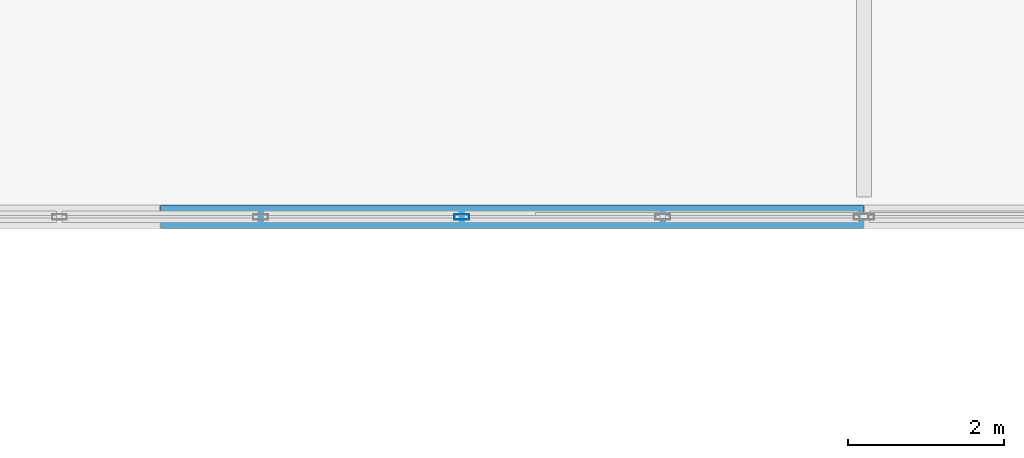
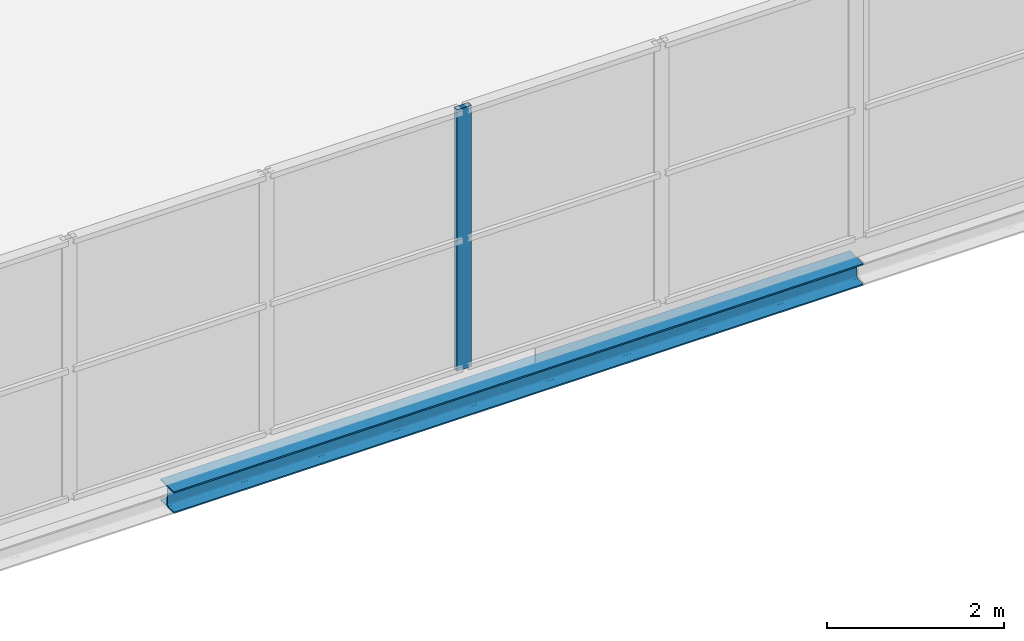
# One storey, part 21 of 88: 1 beam, 1 member, 1 element without a shape of its own.
"""IFC4 building model written with IfcOpenShell, lengths in metres."""

from ifc_helpers import new_model, si_unit, direction, frame, origin, origin_2d, place, context, subcontext, project, spatial, hollow_rectangle, i_section, extrude, material, layer, layer_set, material_profile, profile_set, type_object, element, aggregate, save


model = new_model("IFC4")

# Units and contexts
model_context = context("Model", 3, precision=1e-05, world=origin(), true_north=direction((0.0, 1.0)))
body_context = subcontext(model_context, "Body", "Model", "MODEL_VIEW")
ifc_project = project(units=[si_unit("LENGTHUNIT", "METRE"), si_unit("AREAUNIT", "SQUARE_METRE"), si_unit("VOLUMEUNIT", "CUBIC_METRE"), si_unit("PLANEANGLEUNIT", "RADIAN"), si_unit("MASSUNIT", "GRAM", prefix="KILO")], contexts=[model_context])

# Site, building, storey
site_placement = place(None, origin())
site = spatial("IfcSite", under=ifc_project, at=site_placement, CompositionType="ELEMENT")
building_placement = place(site_placement, origin())
building = spatial("IfcBuilding", under=site, at=building_placement, Name="Deido Ridge Mobility Hub", CompositionType="ELEMENT")
storey_placement = place(building_placement, frame((0.0, 0.0, 16.800048828125)))
storey = spatial("IfcBuildingStorey", under=building, at=storey_placement, Name="L04", CompositionType="ELEMENT", Elevation=16.800048828125)

# Curtain wall, member
ifc_material_1 = material(Name="Anodised aluminium EN AW-6063 T6", Category="aluminium")
ifc_layer = layer(ifc_material_1, 0.22509765625, Name="Anodised aluminium EN AW-6063 T6")
ifc_layer_set = layer_set([ifc_layer], Name="Anodised aluminium EN AW-6063 T6")
curtain_wall_type = type_object("IfcCurtainWallType", Name="CW-UF-5", PredefinedType="USERDEFINED", material=ifc_layer_set)
curtain_wall_placement = place(storey_placement, origin())
curtain_wall = element("IfcCurtainWall", 1, at=curtain_wall_placement, inside=storey, type_object=curtain_wall_type, Name="Unitised curtain wall CW5", ObjectType="UNITISED FACADE", PredefinedType="USERDEFINED")
ifc_material_profile_1 = material_profile(ifc_material_1, hollow_rectangle(XDim=0.070068359375, YDim=0.18994140625, WallThickness=0.00390625, at=origin_2d()), Name="RHS 70x190x4")
ifc_profile_set_1 = profile_set([ifc_material_profile_1], Name="Anodised aluminium EN AW-6063 T6")
member_type = type_object("IfcMemberType", Name="MEM-MUL-70X190", PredefinedType="MULLION", material=ifc_profile_set_1)
member_placement = place(storey_placement, frame((93.857177734375, 36.0, 0.0), z_axis=(0.0, 0.0, 1.0), x_axis=(0.0, 1.0, 0.0)))
member = element("IfcMember", 2, at=member_placement, type_object=member_type, Name="CW5 mullion 6", PredefinedType="MULLION", context=body_context, shape_type="SweptSolid", body=[
    extrude(hollow_rectangle(XDim=0.070068359375, YDim=0.18994140625, WallThickness=0.00390625, at=origin_2d()), origin(), (0.0, 0.0, 1.0), 3.599853515625),
])
aggregate(curtain_wall, [member])

# Beam
ifc_material_2 = material(Name="Steel S355J2 EN 10025-2", Category="steel")
ifc_material_profile_2 = material_profile(ifc_material_2, i_section(OverallWidth=0.300048828125, OverallDepth=0.300048828125, WebThickness=0.010986328125, FlangeThickness=0.01904296875, FilletRadius=0.027099609375, at=origin_2d()), Name="HEB 300")
ifc_profile_set_2 = profile_set([ifc_material_profile_2], Name="Steel S355J2 EN 10025-2")
beam_type = type_object("IfcBeamType", Name="SPD-HEB300", PredefinedType="SPANDREL", material=ifc_profile_set_2)
beam_placement = place(storey_placement, frame((90.007080078125, 36.0, -0.425048828125), z_axis=(1.0, 0.0, 0.0), x_axis=(0.0, 1.0, 0.0)))
element("IfcBeam", 3, at=beam_placement, inside=storey, type_object=beam_type, Name="Floor beam SP1", PredefinedType="SPANDREL", context=body_context, shape_type="SweptSolid", body=[
    extrude(i_section(OverallWidth=0.300048828125, OverallDepth=0.300048828125, WebThickness=0.010986328125, FlangeThickness=0.01904296875, FilletRadius=0.027099609375, at=origin_2d()), origin(), (0.0, 0.0, 1.0), 8.98583984375),
])

save(model, "model.ifc")
